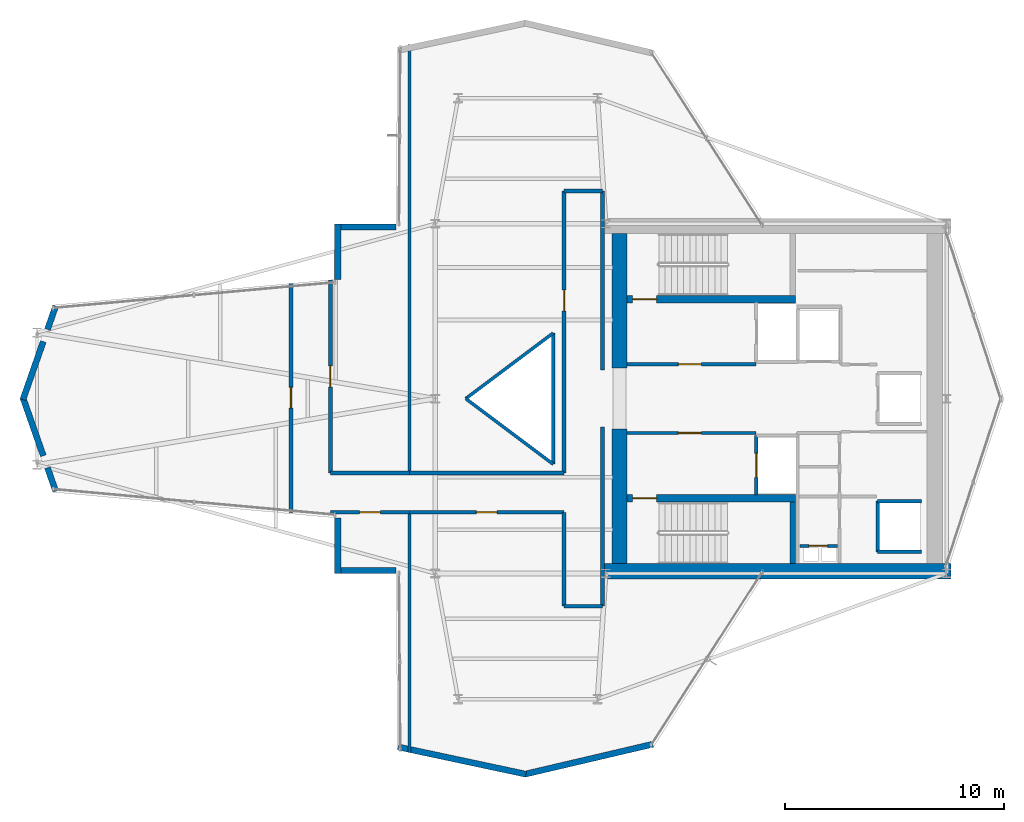
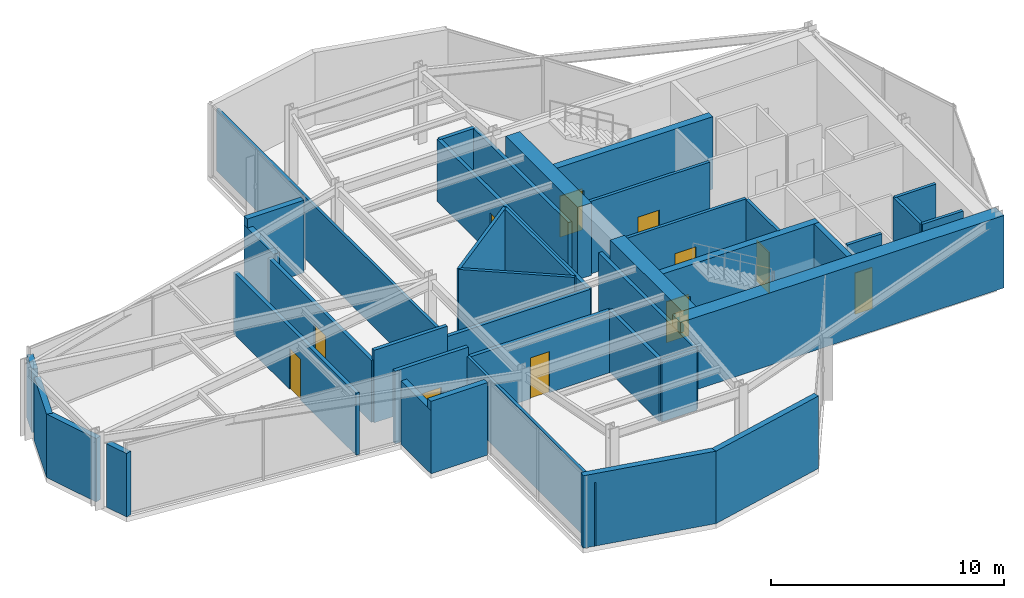
# One storey, part 21 of 23: 40 walls, 11 doors, 11 openings.
"""IFC4 building model written with IfcOpenShell, lengths in metres."""

import ifcopenshell
import ifcopenshell.guid

model = None  # the IFC model being written
_history = None  # IfcOwnerHistory: only IFC2X3 demands one
_inside = {}  # id of a spatial element -> (the spatial element, [elements in it])
_under = {}  # id of a project, library or spatial element -> (it, [spatial elements below it])
_declared = {}  # id of a project -> (the project, [libraries it declares])
_typed = {}  # id of a type object -> (the type object, [elements of that type])
_made_of = {}  # id of a material, layer set ... -> (it, [elements and type objects made of it])


def new_model(schema):
    """Start an empty IFC model of exactly this schema.

    Asked for "IFC4X3", IfcOpenShell would pick the latest addendum, in which some entities
    have other attributes; the version numbers below select the first issue.
    IFC2X3 requires an IfcOwnerHistory on every rooted entity: one is made here for all.
    """
    global model, _history
    if schema == "IFC4X3":
        model = ifcopenshell.file(schema_version=(4, 3, 0, 0))
    else:
        model = ifcopenshell.file(schema=schema)
    _inside.clear()
    _under.clear()
    _declared.clear()
    _typed.clear()
    _made_of.clear()
    _history = None
    if model.schema == "IFC2X3":
        org = make("IfcOrganization", Name="unknown")
        user = make(
            "IfcPersonAndOrganization",
            ThePerson=make("IfcPerson", FamilyName="unknown"),
            TheOrganization=org,
        )
        app = make(
            "IfcApplication",
            ApplicationDeveloper=org,
            Version="unknown",
            ApplicationFullName="unknown",
            ApplicationIdentifier="unknown",
        )
        _history = make(
            "IfcOwnerHistory",
            OwningUser=user,
            OwningApplication=app,
            ChangeAction="ADDED",
            CreationDate=0,
        )
    return model


def make(cls, **values):
    """One entity of the class cls with the attributes given. An attribute that is None is left unset."""
    return model.create_entity(
        cls, **{name: value for name, value in values.items() if value is not None}
    )


def rooted(cls, **values):
    """An entity with a GlobalId (a new one), such as an element, a storey or a relation."""
    return make(cls, GlobalId=ifcopenshell.guid.new(), OwnerHistory=_history, **values)


def si_unit(unit_type, name, prefix=None):
    """IfcSIUnit, for example si_unit("LENGTHUNIT", "METRE", prefix="MILLI")."""
    return make("IfcSIUnit", UnitType=unit_type, Prefix=prefix, Name=name)


def assignment(units):
    """IfcUnitAssignment: the units of a project."""
    return None if units is None else make("IfcUnitAssignment", Units=units)


def point(xyz):
    """IfcCartesianPoint."""
    return None if xyz is None else make("IfcCartesianPoint", Coordinates=xyz)


def direction(xyz):
    """IfcDirection."""
    return None if xyz is None else make("IfcDirection", DirectionRatios=xyz)


def frame(location, z_axis=None, x_axis=None):
    """IfcAxis2Placement3D, a coordinate frame: its origin and axes. An axis left out is left unset."""
    return make(
        "IfcAxis2Placement3D",
        Location=point(location),
        Axis=direction(z_axis),
        RefDirection=direction(x_axis),
    )


def frame_2d(location, x_axis=None):
    """IfcAxis2Placement2D, a coordinate frame in the plane: its origin and x axis."""
    return make(
        "IfcAxis2Placement2D", Location=point(location), RefDirection=direction(x_axis)
    )


def origin():
    """The frame at (0, 0, 0) with its axes left unset."""
    return frame((0.0, 0.0, 0.0))


def place(relative_to, where):
    """IfcLocalPlacement: puts the frame where relative to a parent placement (None: the world)."""
    return make(
        "IfcLocalPlacement", PlacementRelTo=relative_to, RelativePlacement=where
    )


def context(
    kind, dimensions, precision=None, world=None, true_north=None, identifier=None
):
    """IfcGeometricRepresentationContext, for example the 3D "Model" context."""
    return make(
        "IfcGeometricRepresentationContext",
        ContextIdentifier=identifier,
        ContextType=kind,
        CoordinateSpaceDimension=dimensions,
        Precision=precision,
        WorldCoordinateSystem=world,
        TrueNorth=true_north,
    )


def subcontext(parent, identifier, kind, view, scale=None):
    """IfcGeometricRepresentationSubContext, for example "Body" below "Model"."""
    return make(
        "IfcGeometricRepresentationSubContext",
        ContextIdentifier=identifier,
        ContextType=kind,
        ParentContext=parent,
        TargetScale=scale,
        TargetView=view,
    )


def project(units=None, contexts=None):
    """IfcProject with its units and contexts."""
    return rooted(
        "IfcProject",
        Name="project",
        RepresentationContexts=contexts,
        UnitsInContext=assignment(units),
    )


def spatial(cls, under=None, at=None, **own):
    """A site, building, storey or space (cls), placed at a placement, below another one or the project."""
    s = rooted(cls, ObjectPlacement=at, **own)
    if under is not None:
        _under.setdefault(under.id(), (under, []))[1].append(s)
    return s


def profile(cls, at=None, kind="AREA", **sizes):
    """A parametric profile (cls). Its sizes go by their IFC names, for example OverallWidth=200.0."""
    return make(cls, ProfileType=kind, Position=at, **sizes)


def rectangle(**sizes):
    """IfcRectangleProfileDef."""
    return profile("IfcRectangleProfileDef", **sizes)


def extrude(swept, where, along, depth):
    """IfcExtrudedAreaSolid: the profile swept, set in the frame where, extruded along a direction by depth."""
    return make(
        "IfcExtrudedAreaSolid",
        SweptArea=swept,
        Position=where,
        ExtrudedDirection=direction(along),
        Depth=depth,
    )


def shape(context_of_items, identifier, shape_type, items):
    """IfcShapeRepresentation: the items that make up one representation, for example the "Body"."""
    return make(
        "IfcShapeRepresentation",
        ContextOfItems=context_of_items,
        RepresentationIdentifier=identifier,
        RepresentationType=shape_type,
        Items=items,
    )


def material(Name=None, Category=None):
    """IfcMaterial."""
    return make("IfcMaterial", Name=Name, Category=Category)


def layer(
    of_material, thickness, ventilated=None, Name=None, Category=None, Priority=None
):
    """IfcMaterialLayer: one layer of a wall or slab, of a material (None: an air gap)."""
    return make(
        "IfcMaterialLayer",
        Material=of_material,
        LayerThickness=thickness,
        IsVentilated=ventilated,
        Name=Name,
        Category=Category,
        Priority=Priority,
    )


def layer_set(layers, Name=None):
    """IfcMaterialLayerSet."""
    return make("IfcMaterialLayerSet", MaterialLayers=layers, LayerSetName=Name)


def made_of(thing, what):
    """Note that an element or type object is made of a material, layer set ...; save() writes the relation."""
    if what is not None:
        _made_of.setdefault(what.id(), (what, []))[1].append(thing)
    return thing


def type_object(cls, material=None, **own):
    """A type object (cls), such as IfcWallType, which elements share."""
    return made_of(rooted(cls, **own), material)


def element(
    cls,
    number,
    at=None,
    inside=None,
    cuts=None,
    type_object=None,
    material=None,
    context=None,
    identifier="Body",
    shape_type=None,
    held_by="IfcProductDefinitionShape",
    body=None,
    shapes=None,
    **own,
):
    """One element of the class cls, such as IfcWall. Its Tag is "e" and its number.

    at: its placement. inside: the storey or other place that contains it. cuts: it is an
    opening in that element (IfcRelVoidsElement). A single representation is given by context,
    identifier, shape_type and body (its items); several are given by shapes. held_by: the class
    of the entity that holds the representations. save() writes the other relations.
    """
    e = rooted(cls, Tag="e%d" % number, ObjectPlacement=at, **own)
    if body is not None:
        shapes = [shape(context, identifier, shape_type, body)]
    if shapes is not None:
        e.Representation = make(held_by, Representations=shapes)
    if inside is not None:
        _inside.setdefault(inside.id(), (inside, []))[1].append(e)
    if cuts is not None:
        rooted(
            "IfcRelVoidsElement", RelatingBuildingElement=cuts, RelatedOpeningElement=e
        )
    if type_object is not None:
        _typed.setdefault(type_object.id(), (type_object, []))[1].append(e)
    return made_of(e, material)


def fill(opening, filler):
    """IfcRelFillsElement: the door or window that sits in an opening."""
    return rooted(
        "IfcRelFillsElement",
        RelatingOpeningElement=opening,
        RelatedBuildingElement=filler,
    )


def aggregate(whole, parts):
    """IfcRelAggregates: a whole, such as a stair, and the parts it consists of."""
    return rooted("IfcRelAggregates", RelatingObject=whole, RelatedObjects=parts)


def save(model, path):
    """Write the relations noted so far, then the file.

    IfcRelAggregates (storeys below a building ...), IfcRelContainedInSpatialStructure (elements
    in a storey), IfcRelDefinesByType, IfcRelAssociatesMaterial and IfcRelDeclares: one each for
    every whole, place, type object, material and project.
    """
    for whole, parts in _under.values():
        aggregate(whole, parts)
    for where, things in _inside.values():
        rooted(
            "IfcRelContainedInSpatialStructure",
            RelatedElements=things,
            RelatingStructure=where,
        )
    for kind, things in _typed.values():
        rooted("IfcRelDefinesByType", RelatedObjects=things, RelatingType=kind)
    for what, things in _made_of.values():
        rooted("IfcRelAssociatesMaterial", RelatedObjects=things, RelatingMaterial=what)
    for by, libraries in _declared.values():
        rooted("IfcRelDeclares", RelatingContext=by, RelatedDefinitions=libraries)
    model.write(path)


model = new_model("IFC4")

# Units and contexts
model_context = context("Model", 3, precision=1e-05, world=origin(), true_north=direction((0.0, 1.0)))
body_context = subcontext(model_context, "Body", "Model", "MODEL_VIEW")
ifc_project = project(units=[si_unit("LENGTHUNIT", "METRE"), si_unit("AREAUNIT", "SQUARE_METRE"), si_unit("VOLUMEUNIT", "CUBIC_METRE"), si_unit("PLANEANGLEUNIT", "RADIAN"), si_unit("MASSUNIT", "GRAM", prefix="KILO")], contexts=[model_context])

# Site, building, storey
site_placement = place(None, origin())
site = spatial("IfcSite", under=ifc_project, at=site_placement, CompositionType="ELEMENT")
building_placement = place(site_placement, origin())
building = spatial("IfcBuilding", under=site, at=building_placement, Name="Veymaron Broadcast Tower", CompositionType="ELEMENT")
storey_placement = place(building_placement, frame((0.0, 0.0, 195.89990234375)))
storey = spatial("IfcBuildingStorey", under=building, at=storey_placement, Name="L45", CompositionType="ELEMENT", Elevation=195.89990234375)

# Walls
ifc_material_1 = material(Name="Precast concrete C40/50", Category="concrete")
ifc_layer_1 = layer(ifc_material_1, 0.280029296875)
ifc_layer_set_1 = layer_set([ifc_layer_1], Name="Precast concrete C40/50")
wall_type_1 = type_object("IfcWallType", Name="WALL-EXT-280", PredefinedType="STANDARD", material=ifc_layer_set_1)
wall_1_placement = place(storey_placement, frame((29.40576171875, 31.860107421875, 0.0), z_axis=(0.0, 0.0, 1.0), x_axis=(-1.0, 0.0, 0.0)))
element("IfcWall", 1, at=wall_1_placement, inside=storey, type_object=wall_type_1, Name="L45 notched corner facade pier 9-1", PredefinedType="STANDARD", context=body_context, shape_type="SweptSolid", body=[
    extrude(rectangle(XDim=2.8056640625, YDim=0.280029296875, at=frame_2d((1.40283203125, 0.0))), origin(), (0.0, 0.0, 1.0), 3.7900390625),
])
wall_2_placement = place(storey_placement, frame((26.739990234375, 32.0, 0.0), z_axis=(0.0, 0.0, 1.0), x_axis=(0.0, -1.0, 0.0)))
element("IfcWall", 2, at=wall_2_placement, inside=storey, type_object=wall_type_1, Name="L45 notched corner facade pier 10-1", PredefinedType="STANDARD", context=body_context, shape_type="SweptSolid", body=[
    extrude(rectangle(XDim=2.54541015625, YDim=0.280029296875, at=frame_2d((1.272705078125, 0.0))), origin(), (0.0, 0.0, 1.0), 3.319091796875),
])
wall_3_placement = place(storey_placement, frame((13.83203125, 28.2373046875, 0.0), z_axis=(0.0, 0.0, 1.0), x_axis=(-0.330312133668, -0.943871757365, 0.0)))
element("IfcWall", 3, at=wall_3_placement, inside=storey, type_object=wall_type_1, Name="L45 notched corner facade pier 12-1", PredefinedType="STANDARD", context=body_context, shape_type="SweptSolid", body=[
    extrude(rectangle(XDim=1.135986328125, YDim=0.280029296875, at=frame_2d((0.56787109375, 0.0))), origin(), (0.0, 0.0, 1.0), 3.319091796875),
])
for number, where, z_axis, x_axis, name in (
    (4, (13.26416015625, 26.614990234375, 0.0), (0.0, 0.0, 1.0), (-0.330554810483, -0.94378679651, 0.0), "L45 notched corner facade pier 12-2"),
    (5, (12.33203125, 24.04638671875, 0.0), (0.0, 0.0, 1.0), (0.330554810483, -0.94378679651, 0.0), "L45 notched corner facade pier 13-1"),
):
    element("IfcWall", number, at=place(storey_placement, frame(where, z_axis=z_axis, x_axis=x_axis)), inside=storey, type_object=wall_type_1, Name=name, PredefinedType="STANDARD", context=body_context, shape_type="SweptSolid", body=[
        extrude(rectangle(XDim=2.81982421875, YDim=0.280029296875, at=frame_2d((1.409912109375, 0.0))), origin(), (0.0, 0.0, 1.0), 3.319091796875),
    ])
wall_4_placement = place(storey_placement, frame((13.456787109375, 20.8349609375, 0.0), z_axis=(0.0, 0.0, 1.0), x_axis=(0.330312133668, -0.943871757365, 0.0)))
element("IfcWall", 6, at=wall_4_placement, inside=storey, type_object=wall_type_1, Name="L45 notched corner facade pier 13-2", PredefinedType="STANDARD", context=body_context, shape_type="SweptSolid", body=[
    extrude(rectangle(XDim=1.135986328125, YDim=0.280029296875, at=frame_2d((0.56787109375, 0.0))), origin(), (0.0, 0.0, 1.0), 3.319091796875),
])
wall_5_placement = place(storey_placement, frame((26.739990234375, 18.54541015625, 0.0), z_axis=(0.0, 0.0, 1.0), x_axis=(0.0, -1.0, 0.0)))
element("IfcWall", 7, at=wall_5_placement, inside=storey, type_object=wall_type_1, Name="L45 notched corner facade pier 15-1", PredefinedType="STANDARD", context=body_context, shape_type="SweptSolid", body=[
    extrude(rectangle(XDim=2.54541015625, YDim=0.280029296875, at=frame_2d((1.272705078125, 0.0))), origin(), (0.0, 0.0, 1.0), 3.319091796875),
])
wall_6_placement = place(storey_placement, frame((26.60009765625, 16.139892578125, 0.0), z_axis=(0.0, 0.0, 1.0), x_axis=(1.0, 0.0, 0.0)))
element("IfcWall", 8, at=wall_6_placement, inside=storey, type_object=wall_type_1, Name="L45 notched corner facade pier 16-1", PredefinedType="STANDARD", context=body_context, shape_type="SweptSolid", body=[
    extrude(rectangle(XDim=2.8056640625, YDim=0.280029296875, at=frame_2d((1.40283203125, 0.0))), origin(), (0.0, 0.0, 1.0), 3.7900390625),
])
wall_7_placement = place(storey_placement, frame((29.492431640625, 8.06201171875, 0.0), z_axis=(0.0, 0.0, 1.0), x_axis=(0.978010564176, -0.208555355626, 0.0)))
element("IfcWall", 9, at=wall_7_placement, inside=storey, type_object=wall_type_1, Name="L45 notched corner facade pier 18-1", PredefinedType="STANDARD", context=body_context, shape_type="SweptSolid", body=[
    extrude(rectangle(XDim=5.99365234375, YDim=0.280029296875, at=frame_2d((2.996826171875, 0.0))), origin(), (0.0, 0.0, 1.0), 3.7900390625),
])
wall_8_placement = place(storey_placement, frame((35.29296875, 6.811279296875, 0.0), z_axis=(0.0, 0.0, 1.0), x_axis=(0.973574347184, 0.228370292517, 0.0)))
element("IfcWall", 10, at=wall_8_placement, inside=storey, type_object=wall_type_1, Name="L45 notched corner facade pier 19-1", PredefinedType="STANDARD", context=body_context, shape_type="SweptSolid", body=[
    extrude(rectangle(XDim=6.02099609375, YDim=0.280029296875, at=frame_2d((3.010498046875, 0.0))), origin(), (0.0, 0.0, 1.0), 3.7900390625),
])

# Wall, opening, door
ifc_material_2 = material(Name="Gypsum fireboard and steel stud framing", Category="steel")
ifc_layer_2 = layer(ifc_material_2, 0.14990234375)
ifc_layer_set_2 = layer_set([ifc_layer_2], Name="Gypsum fireboard and steel stud framing")
wall_type_2 = type_object("IfcWallType", Name="WALL-FIRE-150", PredefinedType="PARTITIONING", material=ifc_layer_set_2)
wall_9_placement = place(storey_placement, frame((39.97998046875, 25.574951171875, 0.0), z_axis=(0.0, 0.0, 1.0), x_axis=(1.0, 0.0, 0.0)))
wall_9 = element("IfcWall", 11, at=wall_9_placement, inside=storey, type_object=wall_type_2, Name="L45 partition IW-L45-FFLN-S", PredefinedType="PARTITIONING", context=body_context, shape_type="SweptSolid", body=[
    extrude(rectangle(XDim=5.89990234375, YDim=0.14990234375, at=frame_2d((2.949951171875, 0.0))), origin(), (0.0, 0.0, 1.0), 3.7900390625),
])
opening_1_placement = place(wall_9_placement, frame((2.35009765625, 0.0, 0.0)))
opening_1 = element("IfcOpeningElement", 12, at=opening_1_placement, cuts=wall_9, Name="Opening ID-FL1", PredefinedType="OPENING", context=body_context, shape_type="SweptSolid", body=[
    extrude(rectangle(XDim=1.050048828125, YDim=2.14990234375, at=frame_2d((0.52490234375, 1.074951171875))), frame((0.0, 0.0849609375, 0.0), z_axis=(0.0, -1.0, 0.0), x_axis=(1.0, 0.0, 0.0)), (0.0, 0.0, 1.0), 0.169921875),
])
ifc_material_3 = material(Name="Fire-rated painted hollow steel ASTM A653", Category="steel")
door_type_1 = type_object("IfcDoorType", Name="DOOR-FIRE-1050", OperationType="NOTDEFINED", PredefinedType="DOOR", material=ifc_material_3)
door_1_placement = place(opening_1_placement, origin())
door_1 = element("IfcDoor", 13, at=door_1_placement, inside=storey, type_object=door_type_1, Name="L45 door DR-L45-FFLN", OperationType="SINGLE_SWING_LEFT", OverallHeight=2.14990234375, OverallWidth=1.050048828125, PredefinedType="DOOR", context=body_context, shape_type="SweptSolid", body=[
    extrude(rectangle(XDim=1.050048828125, YDim=2.14990234375, at=frame_2d((0.52490234375, 1.074951171875))), frame((0.0, 0.02490234375, 0.0), z_axis=(0.0, -1.0, 0.0), x_axis=(1.0, 0.0, 0.0)), (0.0, 0.0, 1.0), 0.050048828125),
])
fill(opening_1, door_1)

wall_10_placement = place(storey_placement, frame((39.97998046875, 22.425048828125, 0.0), z_axis=(0.0, 0.0, 1.0), x_axis=(1.0, 0.0, 0.0)))
wall_10 = element("IfcWall", 14, at=wall_10_placement, inside=storey, type_object=wall_type_2, Name="L45 partition IW-L45-FFLS-N", PredefinedType="PARTITIONING", context=body_context, shape_type="SweptSolid", body=[
    extrude(rectangle(XDim=5.89990234375, YDim=0.14990234375, at=frame_2d((2.949951171875, 0.0))), origin(), (0.0, 0.0, 1.0), 3.7900390625),
])
opening_2_placement = place(wall_10_placement, frame((2.35009765625, 0.0, 0.0)))
opening_2 = element("IfcOpeningElement", 15, at=opening_2_placement, cuts=wall_10, Name="Opening ID-FL1", PredefinedType="OPENING", context=body_context, shape_type="SweptSolid", body=[
    extrude(rectangle(XDim=1.050048828125, YDim=2.14990234375, at=frame_2d((0.52490234375, 1.074951171875))), frame((0.0, 0.0849609375, 0.0), z_axis=(0.0, -1.0, 0.0), x_axis=(1.0, 0.0, 0.0)), (0.0, 0.0, 1.0), 0.169921875),
])
door_2_placement = place(opening_2_placement, frame((1.050048828125, 0.0, 0.0), z_axis=(0.0, 0.0, 1.0), x_axis=(-1.0, 0.0, 0.0)))
door_2 = element("IfcDoor", 16, at=door_2_placement, inside=storey, type_object=door_type_1, Name="L45 door DR-L45-FFLS", OperationType="SINGLE_SWING_RIGHT", OverallHeight=2.14990234375, OverallWidth=1.050048828125, PredefinedType="DOOR", context=body_context, shape_type="SweptSolid", body=[
    extrude(rectangle(XDim=1.050048828125, YDim=2.14990234375, at=frame_2d((0.52490234375, 1.074951171875))), frame((0.0, 0.02490234375, 0.0), z_axis=(0.0, -1.0, 0.0), x_axis=(1.0, 0.0, 0.0)), (0.0, 0.0, 1.0), 0.050048828125),
])
fill(opening_2, door_2)

wall_11_placement = place(storey_placement, frame((45.89501953125, 19.590087890625, 0.0), z_axis=(0.0, 0.0, 1.0), x_axis=(0.0, 1.0, 0.0)))
wall_11 = element("IfcWall", 17, at=wall_11_placement, inside=storey, type_object=wall_type_2, Name="L45 partition IW-L45-SHW-FFL-2", PredefinedType="PARTITIONING", context=body_context, shape_type="SweptSolid", body=[
    extrude(rectangle(XDim=2.719970703125, YDim=0.14990234375, at=frame_2d((1.35986328125, 0.0))), origin(), (0.0, 0.0, 1.0), 3.7900390625),
])
opening_3_placement = place(wall_11_placement, frame((0.81005859375, 0.0, 0.0)))
opening_3 = element("IfcOpeningElement", 18, at=opening_3_placement, cuts=wall_11, Name="Opening LD", PredefinedType="OPENING", context=body_context, shape_type="SweptSolid", body=[
    extrude(rectangle(XDim=1.10009765625, YDim=2.14990234375, at=frame_2d((0.550048828125, 1.074951171875))), frame((0.0, 0.0849609375, 0.0), z_axis=(0.0, -1.0, 0.0), x_axis=(1.0, 0.0, 0.0)), (0.0, 0.0, 1.0), 0.169921875),
])
ifc_material_4 = material(Name="Brushed stainless steel AISI 304", Category="steel")
door_type_2 = type_object("IfcDoorType", Name="DOOR-LIFT-1100", OperationType="DOUBLE_DOOR_SLIDING", PredefinedType="DOOR", material=ifc_material_4)
door_3_placement = place(opening_3_placement, frame((1.10009765625, 0.0, 0.0), z_axis=(0.0, 0.0, 1.0), x_axis=(-1.0, 0.0, 0.0)))
door_3 = element("IfcDoor", 19, at=door_3_placement, inside=storey, type_object=door_type_2, Name="L45 door LD-L45-FFL-2", OperationType="DOUBLE_DOOR_SLIDING", OverallHeight=2.14990234375, OverallWidth=1.10009765625, PredefinedType="DOOR", context=body_context, shape_type="SweptSolid", body=[
    extrude(rectangle(XDim=1.10009765625, YDim=2.14990234375, at=frame_2d((0.550048828125, 1.074951171875))), frame((0.0, 0.02490234375, 0.0), z_axis=(0.0, -1.0, 0.0), x_axis=(1.0, 0.0, 0.0)), (0.0, 0.0, 1.0), 0.050048828125),
])
fill(opening_3, door_3)

# Walls
wall_12_placement = place(storey_placement, frame((51.445068359375, 16.989990234375, 0.0), z_axis=(0.0, 0.0, 1.0), x_axis=(0.0, 1.0, 0.0)))
element("IfcWall", 20, at=wall_12_placement, inside=storey, type_object=wall_type_2, Name="L45 partition IW-L45-SHW-PH1", PredefinedType="PARTITIONING", context=body_context, shape_type="SweptSolid", body=[
    extrude(rectangle(XDim=2.320068359375, YDim=0.14990234375, at=frame_2d((1.16015625, 0.0))), origin(), (0.0, 0.0, 1.0), 3.7900390625),
])
for number, where, z_axis, x_axis, name in (
    (21, (51.445068359375, 16.989990234375, 0.0), (0.0, 0.0, 1.0), (1.0, 0.0, 0.0), "L45 partition IW-L45-SHS-PH1"),
    (22, (51.445068359375, 19.31005859375, 0.0), (0.0, 0.0, 1.0), (1.0, 0.0, 0.0), "L45 partition IW-L45-SHN-PH1"),
):
    element("IfcWall", number, at=place(storey_placement, frame(where, z_axis=z_axis, x_axis=x_axis)), inside=storey, type_object=wall_type_2, Name=name, PredefinedType="PARTITIONING", context=body_context, shape_type="SweptSolid", body=[
        extrude(rectangle(XDim=2.014892578125, YDim=0.14990234375, at=frame_2d((1.00732421875, 0.0))), origin(), (0.0, 0.0, 1.0), 3.7900390625),
    ])

# Wall, opening, door
wall_13_placement = place(storey_placement, frame((47.8798828125, 17.260009765625, 0.0), z_axis=(0.0, 0.0, 1.0), x_axis=(1.0, 0.0, 0.0)))
wall_13 = element("IfcWall", 23, at=wall_13_placement, inside=storey, type_object=wall_type_2, Name="L45 partition IW-L45-RIS-N", PredefinedType="PARTITIONING", context=body_context, shape_type="SweptSolid", body=[
    extrude(rectangle(XDim=1.72021484375, YDim=0.14990234375, at=frame_2d((0.860107421875, 0.0))), origin(), (0.0, 0.0, 1.0), 3.7900390625),
])
opening_4_placement = place(wall_13_placement, frame((0.419921875, 0.0, 0.0)))
opening_4 = element("IfcOpeningElement", 24, at=opening_4_placement, cuts=wall_13, Name="Opening ID-RS1", PredefinedType="OPENING", context=body_context, shape_type="SweptSolid", body=[
    extrude(rectangle(XDim=0.85009765625, YDim=2.14990234375, at=frame_2d((0.425048828125, 1.074951171875))), frame((0.0, 0.0849609375, 0.0), z_axis=(0.0, -1.0, 0.0), x_axis=(1.0, 0.0, 0.0)), (0.0, 0.0, 1.0), 0.169921875),
])
ifc_material_5 = material(Name="Fire-rated powder-coated steel riser leaf", Category="steel")
door_type_3 = type_object("IfcDoorType", Name="DOOR-RIS-850", OperationType="NOTDEFINED", PredefinedType="TRAPDOOR", material=ifc_material_5)
door_4_placement = place(opening_4_placement, origin())
door_4 = element("IfcDoor", 25, at=door_4_placement, inside=storey, type_object=door_type_3, Name="L45 door DR-L45-RIS", OperationType="SINGLE_SWING_LEFT", OverallHeight=2.14990234375, OverallWidth=0.85009765625, PredefinedType="TRAPDOOR", context=body_context, shape_type="SweptSolid", body=[
    extrude(rectangle(XDim=0.85009765625, YDim=2.14990234375, at=frame_2d((0.425048828125, 1.074951171875))), frame((0.0, 0.02490234375, 0.0), z_axis=(0.0, -1.0, 0.0), x_axis=(1.0, 0.0, 0.0)), (0.0, 0.0, 1.0), 0.050048828125),
])
fill(opening_4, door_4)

ifc_material_6 = material(Name="Concrete C40/50", Category="concrete")
ifc_layer_3 = layer(ifc_material_6, 0.179931640625)
ifc_layer_set_3 = layer_set([ifc_layer_3], Name="Concrete C40/50")
wall_type_3 = type_object("IfcWallType", Name="WALL-FIRE-180", PredefinedType="SOLIDWALL", material=ifc_layer_set_3)
wall_14_placement = place(storey_placement, frame((30.02490234375, 18.800048828125, 0.0), z_axis=(0.0, 0.0, 1.0), x_axis=(1.0, 0.0, 0.0)))
wall_14 = element("IfcWall", 26, at=wall_14_placement, inside=storey, type_object=wall_type_3, Name="L45 partition IW-L45-P02", PredefinedType="SOLIDWALL", context=body_context, shape_type="SweptSolid", body=[
    extrude(rectangle(XDim=7.0751953125, YDim=0.179931640625, at=frame_2d((3.53759765625, 0.0))), origin(), (0.0, 0.0, 1.0), 3.2412109375),
])
opening_5_placement = place(wall_14_placement, frame((3.0625, 0.0, 0.0)))
opening_5 = element("IfcOpeningElement", 27, at=opening_5_placement, cuts=wall_14, Name="Opening ID-RM1", PredefinedType="OPENING", context=body_context, shape_type="SweptSolid", body=[
    extrude(rectangle(XDim=0.949951171875, YDim=2.14990234375, at=frame_2d((0.47509765625, 1.074951171875))), frame((0.0, 0.10009765625, 0.0), z_axis=(0.0, -1.0, 0.0), x_axis=(1.0, 0.0, 0.0)), (0.0, 0.0, 1.0), 0.199951171875),
])
ifc_material_7 = material(Name="Acoustic solid-core European oak veneer timber", Category="wood")
door_type_4 = type_object("IfcDoorType", Name="DOOR-INT-950", OperationType="NOTDEFINED", PredefinedType="DOOR", material=ifc_material_7)
door_5_placement = place(opening_5_placement, frame((0.949951171875, 0.0, 0.0), z_axis=(0.0, 0.0, 1.0), x_axis=(-1.0, 0.0, 0.0)))
door_5 = element("IfcDoor", 28, at=door_5_placement, inside=storey, type_object=door_type_4, Name="L45 door DR-L45-P02", OperationType="SINGLE_SWING_LEFT", OverallHeight=2.14990234375, OverallWidth=0.949951171875, PredefinedType="DOOR", context=body_context, shape_type="SweptSolid", body=[
    extrude(rectangle(XDim=0.949951171875, YDim=2.14990234375, at=frame_2d((0.47509765625, 1.074951171875))), frame((0.0, 0.02490234375, 0.0), z_axis=(0.0, -1.0, 0.0), x_axis=(1.0, 0.0, 0.0)), (0.0, 0.0, 1.0), 0.050048828125),
])
fill(opening_5, door_5)

wall_15_placement = place(storey_placement, frame((26.39990234375, 18.800048828125, 0.0), z_axis=(0.0, 0.0, 1.0), x_axis=(1.0, 0.0, 0.0)))
wall_15 = element("IfcWall", 29, at=wall_15_placement, inside=storey, type_object=wall_type_3, Name="L45 partition IW-L45-P05", PredefinedType="SOLIDWALL", context=body_context, shape_type="SweptSolid", body=[
    extrude(rectangle(XDim=3.625, YDim=0.179931640625, at=frame_2d((1.8125, 0.0))), origin(), (0.0, 0.0, 1.0), 3.7900390625),
])
opening_6_placement = place(wall_15_placement, frame((1.33740234375, 0.0, 0.0)))
opening_6 = element("IfcOpeningElement", 30, at=opening_6_placement, cuts=wall_15, Name="Opening ID-RM1", PredefinedType="OPENING", context=body_context, shape_type="SweptSolid", body=[
    extrude(rectangle(XDim=0.949951171875, YDim=2.14990234375, at=frame_2d((0.47509765625, 1.074951171875))), frame((0.0, 0.10009765625, 0.0), z_axis=(0.0, -1.0, 0.0), x_axis=(1.0, 0.0, 0.0)), (0.0, 0.0, 1.0), 0.199951171875),
])
door_6_placement = place(opening_6_placement, frame((0.949951171875, 0.0, 0.0), z_axis=(0.0, 0.0, 1.0), x_axis=(-1.0, 0.0, 0.0)))
door_6 = element("IfcDoor", 31, at=door_6_placement, inside=storey, type_object=door_type_4, Name="L45 door DR-L45-P05", OperationType="SINGLE_SWING_RIGHT", OverallHeight=2.14990234375, OverallWidth=0.949951171875, PredefinedType="DOOR", context=body_context, shape_type="SweptSolid", body=[
    extrude(rectangle(XDim=0.949951171875, YDim=2.14990234375, at=frame_2d((0.47509765625, 1.074951171875))), frame((0.0, 0.02490234375, 0.0), z_axis=(0.0, -1.0, 0.0), x_axis=(1.0, 0.0, 0.0)), (0.0, 0.0, 1.0), 0.050048828125),
])
fill(opening_6, door_6)

wall_16_placement = place(storey_placement, frame((24.60009765625, 18.800048828125, 0.0), z_axis=(0.0, 0.0, 1.0), x_axis=(0.0, 1.0, 0.0)))
wall_16 = element("IfcWall", 32, at=wall_16_placement, inside=storey, type_object=wall_type_3, Name="L45 partition IW-L45-P06", PredefinedType="SOLIDWALL", context=body_context, shape_type="SweptSolid", body=[
    extrude(rectangle(XDim=10.47314453125, YDim=0.179931640625, at=frame_2d((5.236572265625, 0.0))), origin(), (0.0, 0.0, 1.0), 3.2412109375),
])
opening_7_placement = place(wall_16_placement, frame((4.761474609375, 0.0, 0.0)))
opening_7 = element("IfcOpeningElement", 33, at=opening_7_placement, cuts=wall_16, Name="Opening ID-RM1", PredefinedType="OPENING", context=body_context, shape_type="SweptSolid", body=[
    extrude(rectangle(XDim=0.949951171875, YDim=2.14990234375, at=frame_2d((0.47509765625, 1.074951171875))), frame((0.0, 0.10009765625, 0.0), z_axis=(0.0, -1.0, 0.0), x_axis=(1.0, 0.0, 0.0)), (0.0, 0.0, 1.0), 0.199951171875),
])
door_7_placement = place(opening_7_placement, origin())
door_7 = element("IfcDoor", 34, at=door_7_placement, inside=storey, type_object=door_type_4, Name="L45 door DR-L45-P06", OperationType="SINGLE_SWING_LEFT", OverallHeight=2.14990234375, OverallWidth=0.949951171875, PredefinedType="DOOR", context=body_context, shape_type="SweptSolid", body=[
    extrude(rectangle(XDim=0.949951171875, YDim=2.14990234375, at=frame_2d((0.47509765625, 1.074951171875))), frame((0.0, 0.02490234375, 0.0), z_axis=(0.0, -1.0, 0.0), x_axis=(1.0, 0.0, 0.0)), (0.0, 0.0, 1.0), 0.050048828125),
])
fill(opening_7, door_7)

wall_17_placement = place(storey_placement, frame((26.39990234375, 20.60009765625, 0.0), z_axis=(0.0, 0.0, 1.0), x_axis=(0.0, 1.0, 0.0)))
wall_17 = element("IfcWall", 35, at=wall_17_placement, inside=storey, type_object=wall_type_3, Name="L45 partition IW-L45-P07", PredefinedType="SOLIDWALL", context=body_context, shape_type="SweptSolid", body=[
    extrude(rectangle(XDim=8.83642578125, YDim=0.179931640625, at=frame_2d((4.418212890625, 0.0))), origin(), (0.0, 0.0, 1.0), 3.2412109375),
])
opening_8_placement = place(wall_17_placement, frame((3.943115234375, 0.0, 0.0)))
opening_8 = element("IfcOpeningElement", 36, at=opening_8_placement, cuts=wall_17, Name="Opening ID-RM1", PredefinedType="OPENING", context=body_context, shape_type="SweptSolid", body=[
    extrude(rectangle(XDim=0.949951171875, YDim=2.14990234375, at=frame_2d((0.47509765625, 1.074951171875))), frame((0.0, 0.10009765625, 0.0), z_axis=(0.0, -1.0, 0.0), x_axis=(1.0, 0.0, 0.0)), (0.0, 0.0, 1.0), 0.199951171875),
])
door_8_placement = place(opening_8_placement, frame((0.949951171875, 0.0, 0.0), z_axis=(0.0, 0.0, 1.0), x_axis=(-1.0, 0.0, 0.0)))
door_8 = element("IfcDoor", 37, at=door_8_placement, inside=storey, type_object=door_type_4, Name="L45 door DR-L45-P07", OperationType="SINGLE_SWING_RIGHT", OverallHeight=2.14990234375, OverallWidth=0.949951171875, PredefinedType="DOOR", context=body_context, shape_type="SweptSolid", body=[
    extrude(rectangle(XDim=0.949951171875, YDim=2.14990234375, at=frame_2d((0.47509765625, 1.074951171875))), frame((0.0, 0.02490234375, 0.0), z_axis=(0.0, -1.0, 0.0), x_axis=(1.0, 0.0, 0.0)), (0.0, 0.0, 1.0), 0.050048828125),
])
fill(opening_8, door_8)

wall_18_placement = place(storey_placement, frame((37.10009765625, 20.60009765625, 0.0), z_axis=(0.0, 0.0, 1.0), x_axis=(0.0, 1.0, 0.0)))
wall_18 = element("IfcWall", 38, at=wall_18_placement, inside=storey, type_object=wall_type_3, Name="L45 partition IW-L45-P09", PredefinedType="SOLIDWALL", context=body_context, shape_type="SweptSolid", body=[
    extrude(rectangle(XDim=12.89990234375, YDim=0.179931640625, at=frame_2d((6.449951171875, 0.0))), origin(), (0.0, 0.0, 1.0), 3.2412109375),
])
opening_9_placement = place(wall_18_placement, frame((7.4150390625, 0.0, 0.0)))
opening_9 = element("IfcOpeningElement", 39, at=opening_9_placement, cuts=wall_18, Name="Opening ID-RM1", PredefinedType="OPENING", context=body_context, shape_type="SweptSolid", body=[
    extrude(rectangle(XDim=0.949951171875, YDim=2.14990234375, at=frame_2d((0.47509765625, 1.074951171875))), frame((0.0, 0.10009765625, 0.0), z_axis=(0.0, -1.0, 0.0), x_axis=(1.0, 0.0, 0.0)), (0.0, 0.0, 1.0), 0.199951171875),
])
door_9_placement = place(opening_9_placement, frame((0.949951171875, 0.0, 0.0), z_axis=(0.0, 0.0, 1.0), x_axis=(-1.0, 0.0, 0.0)))
door_9 = element("IfcDoor", 40, at=door_9_placement, inside=storey, type_object=door_type_4, Name="L45 door DR-L45-P09", OperationType="SINGLE_SWING_RIGHT", OverallHeight=2.14990234375, OverallWidth=0.949951171875, PredefinedType="DOOR", context=body_context, shape_type="SweptSolid", body=[
    extrude(rectangle(XDim=0.949951171875, YDim=2.14990234375, at=frame_2d((0.47509765625, 1.074951171875))), frame((0.0, 0.02490234375, 0.0), z_axis=(0.0, -1.0, 0.0), x_axis=(1.0, 0.0, 0.0)), (0.0, 0.0, 1.0), 0.050048828125),
])
fill(opening_9, door_9)

# Walls
wall_19_placement = place(storey_placement, frame((38.85009765625, 14.5, 0.0), z_axis=(0.0, 0.0, 1.0), x_axis=(0.0, 1.0, 0.0)))
element("IfcWall", 41, at=wall_19_placement, inside=storey, type_object=wall_type_3, Name="L45 partition IW-L45-P01", PredefinedType="SOLIDWALL", context=body_context, shape_type="SweptSolid", body=[
    extrude(rectangle(XDim=8.199951171875, YDim=0.179931640625, at=frame_2d((4.10009765625, 0.0))), origin(), (0.0, 0.0, 1.0), 3.2412109375),
])
wall_20_placement = place(storey_placement, frame((37.10009765625, 14.5, 0.0), z_axis=(0.0, 0.0, 1.0), x_axis=(0.0, 1.0, 0.0)))
element("IfcWall", 42, at=wall_20_placement, inside=storey, type_object=wall_type_3, Name="L45 partition IW-L45-P03", PredefinedType="SOLIDWALL", context=body_context, shape_type="SweptSolid", body=[
    extrude(rectangle(XDim=4.300048828125, YDim=0.179931640625, at=frame_2d((2.14990234375, 0.0))), origin(), (0.0, 0.0, 1.0), 3.2412109375),
])
wall_21_placement = place(storey_placement, frame((37.10009765625, 14.5, 0.0), z_axis=(0.0, 0.0, 1.0), x_axis=(1.0, 0.0, 0.0)))
element("IfcWall", 43, at=wall_21_placement, inside=storey, type_object=wall_type_3, Name="L45 partition IW-L45-P04", PredefinedType="SOLIDWALL", context=body_context, shape_type="SweptSolid", body=[
    extrude(rectangle(XDim=1.75, YDim=0.179931640625, at=frame_2d((0.875, 0.0))), origin(), (0.0, 0.0, 1.0), 3.2412109375),
])
wall_22_placement = place(storey_placement, frame((26.39990234375, 20.60009765625, 0.0), z_axis=(0.0, 0.0, 1.0), x_axis=(1.0, 0.0, 0.0)))
element("IfcWall", 44, at=wall_22_placement, inside=storey, type_object=wall_type_3, Name="L45 partition IW-L45-P08", PredefinedType="SOLIDWALL", context=body_context, shape_type="SweptSolid", body=[
    extrude(rectangle(XDim=3.625, YDim=0.179931640625, at=frame_2d((1.8125, 0.0))), origin(), (0.0, 0.0, 1.0), 3.7900390625),
])
wall_23_placement = place(storey_placement, frame((38.85009765625, 25.300048828125, 0.0), z_axis=(0.0, 0.0, 1.0), x_axis=(0.0, 1.0, 0.0)))
element("IfcWall", 45, at=wall_23_placement, inside=storey, type_object=wall_type_3, Name="L45 partition IW-L45-P10", PredefinedType="SOLIDWALL", context=body_context, shape_type="SweptSolid", body=[
    extrude(rectangle(XDim=8.199951171875, YDim=0.179931640625, at=frame_2d((4.10009765625, 0.0))), origin(), (0.0, 0.0, 1.0), 3.2412109375),
])
wall_24_placement = place(storey_placement, frame((30.02490234375, 20.60009765625, 0.0), z_axis=(0.0, 0.0, 1.0), x_axis=(1.0, 0.0, 0.0)))
element("IfcWall", 46, at=wall_24_placement, inside=storey, type_object=wall_type_3, Name="L45 partition IW-L45-P11", PredefinedType="SOLIDWALL", context=body_context, shape_type="SweptSolid", body=[
    extrude(rectangle(XDim=7.0751953125, YDim=0.179931640625, at=frame_2d((3.53759765625, 0.0))), origin(), (0.0, 0.0, 1.0), 3.2412109375),
])
wall_25_placement = place(storey_placement, frame((37.10009765625, 33.5, 0.0), z_axis=(0.0, 0.0, 1.0), x_axis=(1.0, 0.0, 0.0)))
element("IfcWall", 47, at=wall_25_placement, inside=storey, type_object=wall_type_3, Name="L45 partition IW-L45-P12", PredefinedType="SOLIDWALL", context=body_context, shape_type="SweptSolid", body=[
    extrude(rectangle(XDim=1.75, YDim=0.179931640625, at=frame_2d((0.875, 0.0))), origin(), (0.0, 0.0, 1.0), 3.2412109375),
])
ifc_material_8 = material(Name="Fire-rated laminated glass in aluminium frame", Category="aluminium")
ifc_layer_4 = layer(ifc_material_8, 0.14990234375)
ifc_layer_set_4 = layer_set([ifc_layer_4], Name="Fire-rated laminated glass in aluminium frame")
wall_type_4 = type_object("IfcWallType", Name="WALL-GLZ-150", PredefinedType="MOVABLE", material=ifc_layer_set_4)
wall_26_placement = place(storey_placement, frame((32.60009765625, 24.0, 0.0), z_axis=(0.0, 0.0, 1.0), x_axis=(0.8, -0.6, 0.0)))
element("IfcWall", 48, at=wall_26_placement, inside=storey, type_object=wall_type_4, Name="L45 partition IW-L45-ATR1", PredefinedType="MOVABLE", context=body_context, shape_type="SweptSolid", body=[
    extrude(rectangle(XDim=5.0, YDim=0.14990234375, at=frame_2d((2.5, 0.0))), origin(), (0.0, 0.0, 1.0), 3.7900390625),
])
wall_27_placement = place(storey_placement, frame((36.60009765625, 21.0, 0.0), z_axis=(0.0, 0.0, 1.0), x_axis=(0.0, 1.0, 0.0)))
element("IfcWall", 49, at=wall_27_placement, inside=storey, type_object=wall_type_4, Name="L45 partition IW-L45-ATR2", PredefinedType="MOVABLE", context=body_context, shape_type="SweptSolid", body=[
    extrude(rectangle(XDim=6.0, YDim=0.14990234375, at=frame_2d((3.0, 0.0))), origin(), (0.0, 0.0, 1.0), 3.7900390625),
])
wall_28_placement = place(storey_placement, frame((36.60009765625, 27.0, 0.0), z_axis=(0.0, 0.0, 1.0), x_axis=(-0.8, -0.6, 0.0)))
element("IfcWall", 50, at=wall_28_placement, inside=storey, type_object=wall_type_4, Name="L45 partition IW-L45-ATR3", PredefinedType="MOVABLE", context=body_context, shape_type="SweptSolid", body=[
    extrude(rectangle(XDim=5.0, YDim=0.14990234375, at=frame_2d((2.5, 0.0))), origin(), (0.0, 0.0, 1.0), 3.7900390625),
])
ifc_material_9 = material(Name="Double-layer acoustic gypsum and stud", Category="gypsum")
ifc_layer_5 = layer(ifc_material_9, 0.135009765625)
ifc_layer_set_5 = layer_set([ifc_layer_5], Name="Double-layer acoustic gypsum and stud")
wall_type_5 = type_object("IfcWallType", Name="WALL-PART-135", PredefinedType="PARTITIONING", material=ifc_layer_set_5)
wall_29_placement = place(storey_placement, frame((30.02490234375, 7.80517578125, 0.0), z_axis=(0.0, 0.0, 1.0), x_axis=(0.0, 1.0, 0.0)))
element("IfcWall", 51, at=wall_29_placement, inside=storey, type_object=wall_type_5, Name="L45 partition IW-L45-P13", PredefinedType="PARTITIONING", context=body_context, shape_type="SweptSolid", body=[
    extrude(rectangle(XDim=10.994873046875, YDim=0.135009765625, at=frame_2d((5.49755859375, 0.0))), origin(), (0.0, 0.0, 1.0), 3.319091796875),
])
wall_30_placement = place(storey_placement, frame((30.02490234375, 20.60009765625, 0.0), z_axis=(0.0, 0.0, 1.0), x_axis=(0.0, 1.0, 0.0)))
element("IfcWall", 52, at=wall_30_placement, inside=storey, type_object=wall_type_5, Name="L45 partition IW-L45-P14", PredefinedType="PARTITIONING", context=body_context, shape_type="SweptSolid", body=[
    extrude(rectangle(XDim=19.5947265625, YDim=0.135009765625, at=frame_2d((9.79736328125, 0.0))), origin(), (0.0, 0.0, 1.0), 3.2412109375),
])
ifc_material_10 = material(Name="Concrete C50/60", Category="concrete")
ifc_layer_6 = layer(ifc_material_10, 0.25)
ifc_layer_set_6 = layer_set([ifc_layer_6], Name="Concrete C50/60")
wall_type_6 = type_object("IfcWallType", Name="WALL-SHEAR-250", PredefinedType="SHEAR", material=ifc_layer_set_6)
wall_31_placement = place(storey_placement, frame((47.56494140625, 16.449951171875, 0.0), z_axis=(0.0, 0.0, 1.0), x_axis=(0.0, 1.0, 0.0)))
element("IfcWall", 53, at=wall_31_placement, inside=storey, type_object=wall_type_6, Name="L45 Core Wall south stair east shear", PredefinedType="SHEAR", context=body_context, shape_type="SweptSolid", body=[
    extrude(rectangle(XDim=2.820068359375, YDim=0.25, at=frame_2d((1.41015625, 0.0))), origin(), (0.0, 0.0, 1.0), 3.7900390625),
])

# Wall, opening, door
ifc_layer_7 = layer(ifc_material_10, 0.35009765625)
ifc_layer_set_7 = layer_set([ifc_layer_7], Name="Concrete C50/60")
wall_type_7 = type_object("IfcWallType", Name="WALL-SHEAR-350", PredefinedType="SHEAR", material=ifc_layer_set_7)
wall_32_placement = place(storey_placement, frame((39.97998046875, 28.554931640625, 0.0), z_axis=(0.0, 0.0, 1.0), x_axis=(1.0, 0.0, 0.0)))
wall_32 = element("IfcWall", 54, at=wall_32_placement, inside=storey, type_object=wall_type_7, Name="L45 Core Wall north stair spine", PredefinedType="SHEAR", context=body_context, shape_type="SweptSolid", body=[
    extrude(rectangle(XDim=7.7099609375, YDim=0.35009765625, at=frame_2d((3.85498046875, 0.0))), origin(), (0.0, 0.0, 1.0), 3.7900390625),
])
opening_10_placement = place(wall_32_placement, frame((0.25, 0.0, 0.0)))
opening_10 = element("IfcOpeningElement", 55, at=opening_10_placement, cuts=wall_32, Name="Opening ID-ST1", PredefinedType="OPENING", context=body_context, shape_type="SweptSolid", body=[
    extrude(rectangle(XDim=1.10009765625, YDim=2.14990234375, at=frame_2d((0.550048828125, 1.074951171875))), frame((0.0, 0.18505859375, 0.0), z_axis=(0.0, -1.0, 0.0), x_axis=(1.0, 0.0, 0.0)), (0.0, 0.0, 1.0), 0.3701171875),
])
door_type_5 = type_object("IfcDoorType", Name="DOOR-STAIR-1100", OperationType="NOTDEFINED", PredefinedType="DOOR", material=ifc_material_3)
door_10_placement = place(opening_10_placement, origin())
door_10 = element("IfcDoor", 56, at=door_10_placement, inside=storey, type_object=door_type_5, Name="L45 exit stair ST1 fire door", OperationType="SINGLE_SWING_RIGHT", OverallHeight=2.14990234375, OverallWidth=1.10009765625, PredefinedType="DOOR", context=body_context, shape_type="SweptSolid", body=[
    extrude(rectangle(XDim=1.10009765625, YDim=2.14990234375, at=frame_2d((0.550048828125, 1.074951171875))), frame((0.0, 0.02490234375, 0.0), z_axis=(0.0, -1.0, 0.0), x_axis=(1.0, 0.0, 0.0)), (0.0, 0.0, 1.0), 0.050048828125),
])
fill(opening_10, door_10)

wall_33_placement = place(storey_placement, frame((39.97998046875, 19.445068359375, 0.0), z_axis=(0.0, 0.0, 1.0), x_axis=(1.0, 0.0, 0.0)))
wall_33 = element("IfcWall", 57, at=wall_33_placement, inside=storey, type_object=wall_type_7, Name="L45 Core Wall south stair spine", PredefinedType="SHEAR", context=body_context, shape_type="SweptSolid", body=[
    extrude(rectangle(XDim=7.7099609375, YDim=0.35009765625, at=frame_2d((3.85498046875, 0.0))), origin(), (0.0, 0.0, 1.0), 3.7900390625),
])
opening_11_placement = place(wall_33_placement, frame((0.25, 0.0, 0.0)))
opening_11 = element("IfcOpeningElement", 58, at=opening_11_placement, cuts=wall_33, Name="Opening ID-ST1", PredefinedType="OPENING", context=body_context, shape_type="SweptSolid", body=[
    extrude(rectangle(XDim=1.10009765625, YDim=2.14990234375, at=frame_2d((0.550048828125, 1.074951171875))), frame((0.0, 0.18505859375, 0.0), z_axis=(0.0, -1.0, 0.0), x_axis=(1.0, 0.0, 0.0)), (0.0, 0.0, 1.0), 0.3701171875),
])
door_11_placement = place(opening_11_placement, frame((1.10009765625, 0.0, 0.0), z_axis=(0.0, 0.0, 1.0), x_axis=(-1.0, 0.0, 0.0)))
door_11 = element("IfcDoor", 59, at=door_11_placement, inside=storey, type_object=door_type_5, Name="L45 exit stair ST2 fire door", OperationType="SINGLE_SWING_LEFT", OverallHeight=2.14990234375, OverallWidth=1.10009765625, PredefinedType="DOOR", context=body_context, shape_type="SweptSolid", body=[
    extrude(rectangle(XDim=1.10009765625, YDim=2.14990234375, at=frame_2d((0.550048828125, 1.074951171875))), frame((0.0, 0.02490234375, 0.0), z_axis=(0.0, -1.0, 0.0), x_axis=(1.0, 0.0, 0.0)), (0.0, 0.0, 1.0), 0.050048828125),
])
fill(opening_11, door_11)

# Walls
ifc_material_11 = material(Name="Concrete C60/75", Category="concrete")
ifc_layer_8 = layer(ifc_material_11, 0.699951171875)
ifc_layer_set_8 = layer_set([ifc_layer_8], Name="Concrete C60/75")
wall_type_8 = type_object("IfcWallType", Name="WALL-SHEAR-700", PredefinedType="SHEAR", material=ifc_layer_set_8)
wall_34_placement = place(storey_placement, frame((38.800048828125, 16.10009765625, 0.0), z_axis=(0.0, 0.0, 1.0), x_axis=(1.0, 0.0, 0.0)))
element("IfcWall", 60, at=wall_34_placement, inside=storey, type_object=wall_type_8, Name="L45 Core Wall south shear", PredefinedType="SHEAR", context=body_context, shape_type="SweptSolid", body=[
    extrude(rectangle(XDim=16.0, YDim=0.699951171875, at=frame_2d((8.0, 0.0))), origin(), (0.0, 0.0, 1.0), 3.7900390625),
])
for number, where, z_axis, x_axis, name in (
    (61, (39.6298828125, 16.449951171875, 0.0), (0.0, 0.0, 1.0), (0.0, 1.0, 0.0), "L45 Core Wall west-south shear"),
    (62, (39.6298828125, 25.39990234375, 0.0), (0.0, 0.0, 1.0), (0.0, 1.0, 0.0), "L45 Core Wall west-north shear"),
):
    element("IfcWall", number, at=place(storey_placement, frame(where, z_axis=z_axis, x_axis=x_axis)), inside=storey, type_object=wall_type_8, Name=name, PredefinedType="SHEAR", context=body_context, shape_type="SweptSolid", body=[
        extrude(rectangle(XDim=6.150146484375, YDim=0.699951171875, at=frame_2d((3.0751953125, 0.0))), origin(), (0.0, 0.0, 1.0), 3.7900390625),
    ])

save(model, "model.ifc")
